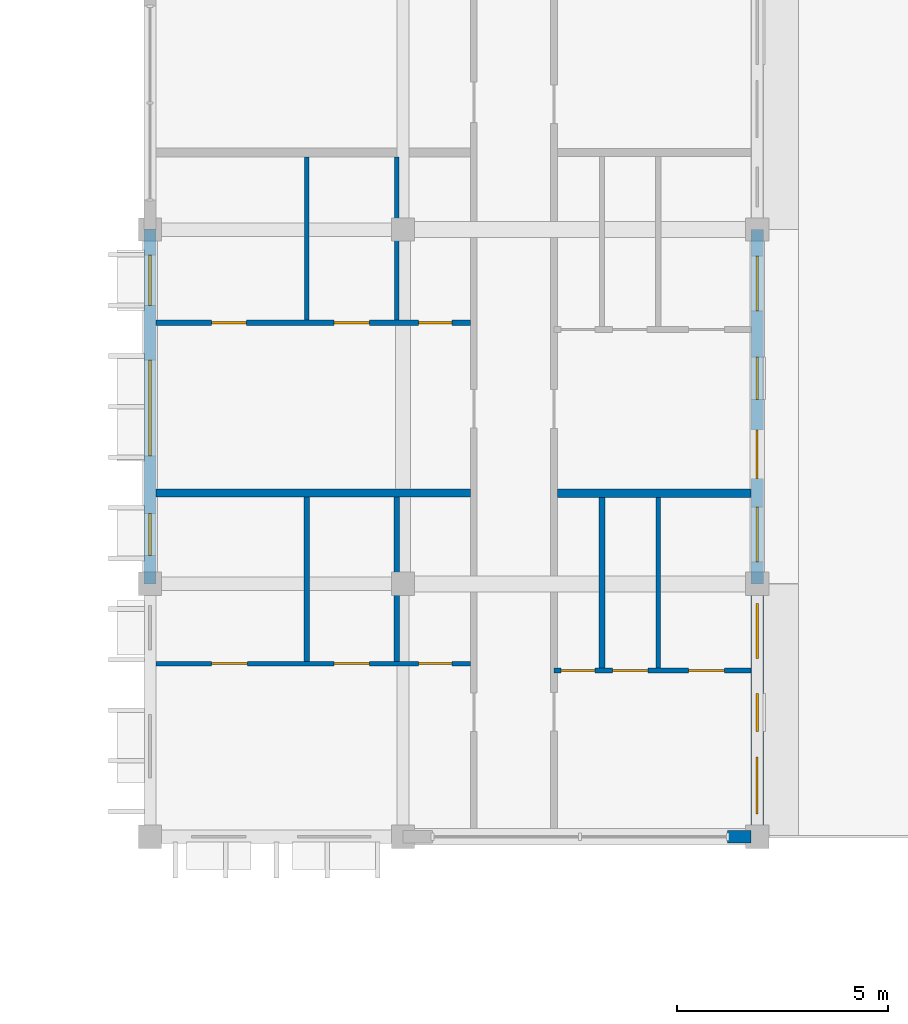
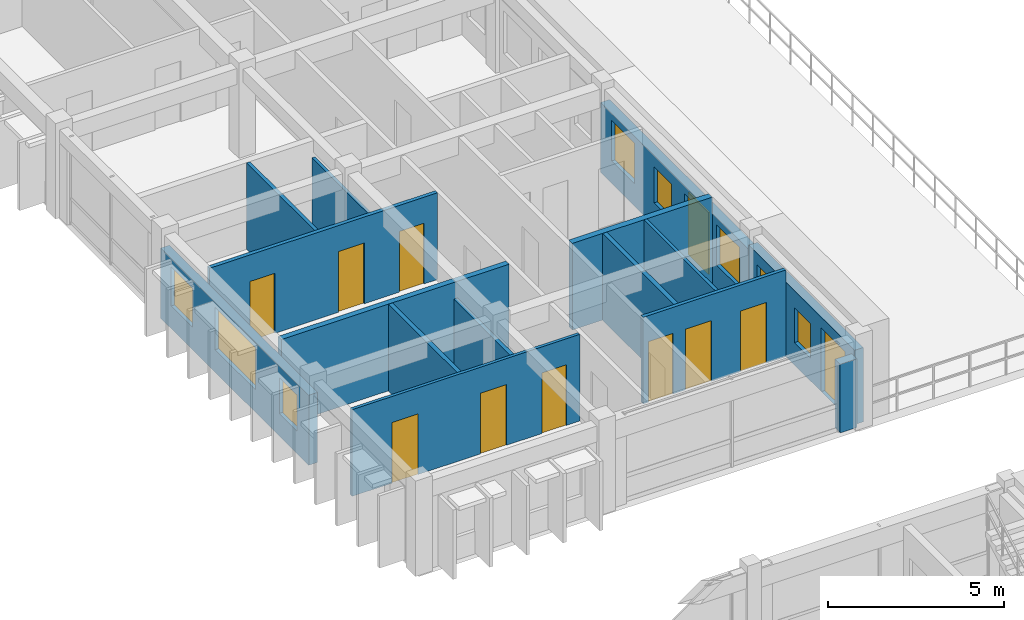
# One storey, part 42 of 68: 15 walls, 11 doors, 8 windows, 19 openings.
"""IFC4 building model written with IfcOpenShell, lengths in metres."""

from ifc_helpers import new_model, si_unit, direction, frame, frame_2d, origin, place, context, subcontext, project, spatial, rectangle, extrude, material, layer, layer_set, type_object, element, fill, save


model = new_model("IFC4")

# Units and contexts
model_context = context("Model", 3, precision=1e-05, world=origin(), true_north=direction((0.0, 1.0)))
body_context = subcontext(model_context, "Body", "Model", "MODEL_VIEW")
ifc_project = project(units=[si_unit("LENGTHUNIT", "METRE"), si_unit("AREAUNIT", "SQUARE_METRE"), si_unit("VOLUMEUNIT", "CUBIC_METRE"), si_unit("PLANEANGLEUNIT", "RADIAN"), si_unit("MASSUNIT", "GRAM", prefix="KILO"), si_unit("THERMODYNAMICTEMPERATUREUNIT", "KELVIN")], contexts=[model_context])

# Site, building, storey
site_placement = place(None, origin())
site = spatial("IfcSite", under=ifc_project, at=site_placement, CompositionType="ELEMENT")
building_placement = place(site_placement, origin())
building = spatial("IfcBuilding", under=site, at=building_placement, Name="Thalorik Housing Commons", CompositionType="ELEMENT")
storey_placement = place(building_placement, frame((0.0, 0.0, 24.60009765625)))
storey = spatial("IfcBuildingStorey", under=building, at=storey_placement, Name="L07", CompositionType="ELEMENT", Elevation=24.60009765625)

# Wall, openings, windows
ifc_material_1 = material(Name="White precast concrete C40/50", Category="concrete")
ifc_layer_1 = layer(ifc_material_1, 0.2900390625, Name="White precast concrete C40/50", Category="concrete")
ifc_layer_set_1 = layer_set([ifc_layer_1], Name="White precast concrete C40/50")
wall_type_1 = type_object("IfcWallType", Name="ARC-WAL-EXT-290", PredefinedType="STANDARD", material=ifc_layer_set_1)
wall_1_placement = place(storey_placement, frame((152.39990234375, 94.800048828125, 0.0), z_axis=(0.0, 0.0, 1.0), x_axis=(0.0, -1.0, 0.0)))
wall_1 = element("IfcWall", 1, at=wall_1_placement, inside=storey, type_object=wall_type_1, Name="L07 Exterior Wall WAL-EXT-L07-B-0663", PredefinedType="STANDARD", context=body_context, shape_type="SweptSolid", body=[
    extrude(rectangle(XDim=8.400146484375, YDim=0.2900390625, at=frame_2d((4.2001953125, 0.0))), origin(), (0.0, 0.0, 1.0), 2.4248046875),
])
opening_1_placement = place(wall_1_placement, frame((0.60009765625, 0.0, 0.780029296875)))
opening_1 = element("IfcOpeningElement", 2, at=opening_1_placement, cuts=wall_1, Name="Opening W-04", PredefinedType="OPENING", context=body_context, shape_type="SweptSolid", body=[
    extrude(rectangle(XDim=1.199951171875, YDim=1.35009765625, at=frame_2d((0.60009765625, 0.675048828125))), frame((0.0, 0.155029296875, 0.0), z_axis=(0.0, -1.0, 0.0), x_axis=(1.0, 0.0, 0.0)), (0.0, 0.0, 1.0), 0.31005859375),
])
opening_2_placement = place(wall_1_placement, frame((3.090087890625, 0.0, 0.780029296875)))
opening_2 = element("IfcOpeningElement", 3, at=opening_2_placement, cuts=wall_1, Name="Opening W-67", PredefinedType="OPENING", context=body_context, shape_type="SweptSolid", body=[
    extrude(rectangle(XDim=2.280029296875, YDim=1.4599609375, at=frame_2d((1.14013671875, 0.72998046875))), frame((0.0, 0.155029296875, 0.0), z_axis=(0.0, -1.0, 0.0), x_axis=(1.0, 0.0, 0.0)), (0.0, 0.0, 1.0), 0.31005859375),
])
opening_3_placement = place(wall_1_placement, frame((6.72998046875, 0.0, 0.780029296875)))
opening_3 = element("IfcOpeningElement", 4, at=opening_3_placement, cuts=wall_1, Name="Opening W-02", PredefinedType="OPENING", context=body_context, shape_type="SweptSolid", body=[
    extrude(rectangle(XDim=1.0, YDim=1.25, at=frame_2d((0.5, 0.625))), frame((0.0, 0.155029296875, 0.0), z_axis=(0.0, -1.0, 0.0), x_axis=(1.0, 0.0, 0.0)), (0.0, 0.0, 1.0), 0.31005859375),
])
ifc_material_2 = material(Name="Anodised aluminium and solar-control low-E glass", Category="aluminium")
window_type_1 = type_object("IfcWindowType", Name="ARC-WIN-02", PartitioningType="SINGLE_PANEL", PredefinedType="WINDOW", material=ifc_material_2)
window_1_placement = place(opening_3_placement, origin())
window_1 = element("IfcWindow", 5, at=window_1_placement, inside=storey, type_object=window_type_1, Name="L07 Facade Window 1214", OverallHeight=1.25, OverallWidth=1.0, PartitioningType="SINGLE_PANEL", PredefinedType="WINDOW", context=body_context, shape_type="SweptSolid", body=[
    extrude(rectangle(XDim=1.0, YDim=1.25, at=frame_2d((0.5, 0.625))), frame((0.0, 0.030029296875, 0.0), z_axis=(0.0, -1.0, 0.0), x_axis=(1.0, 0.0, 0.0)), (0.0, 0.0, 1.0), 0.06005859375),
])
fill(opening_3, window_1)
window_type_2 = type_object("IfcWindowType", Name="ARC-WIN-04", PartitioningType="SINGLE_PANEL", PredefinedType="WINDOW", material=ifc_material_2)
window_2_placement = place(opening_1_placement, origin())
window_2 = element("IfcWindow", 6, at=window_2_placement, inside=storey, type_object=window_type_2, Name="L07 Facade Window 1212", OverallHeight=1.35009765625, OverallWidth=1.199951171875, PartitioningType="SINGLE_PANEL", PredefinedType="WINDOW", context=body_context, shape_type="SweptSolid", body=[
    extrude(rectangle(XDim=1.199951171875, YDim=1.35009765625, at=frame_2d((0.60009765625, 0.675048828125))), frame((0.0, 0.030029296875, 0.0), z_axis=(0.0, -1.0, 0.0), x_axis=(1.0, 0.0, 0.0)), (0.0, 0.0, 1.0), 0.06005859375),
])
fill(opening_1, window_2)
window_type_3 = type_object("IfcWindowType", Name="ARC-WIN-67", PartitioningType="DOUBLE_PANEL_VERTICAL", PredefinedType="WINDOW", material=ifc_material_2)
window_3_placement = place(opening_2_placement, origin())
window_3 = element("IfcWindow", 7, at=window_3_placement, inside=storey, type_object=window_type_3, Name="L07 Facade Window 1213", OverallHeight=1.4599609375, OverallWidth=2.280029296875, PartitioningType="DOUBLE_PANEL_VERTICAL", PredefinedType="WINDOW", context=body_context, shape_type="SweptSolid", body=[
    extrude(rectangle(XDim=2.280029296875, YDim=1.4599609375, at=frame_2d((1.14013671875, 0.72998046875))), frame((0.0, 0.030029296875, 0.0), z_axis=(0.0, -1.0, 0.0), x_axis=(1.0, 0.0, 0.0)), (0.0, 0.0, 1.0), 0.06005859375),
])
fill(opening_2, window_3)

# Wall
wall_2_placement = place(storey_placement, frame((166.10009765625, 80.39990234375, 0.0), z_axis=(0.0, 0.0, 1.0), x_axis=(1.0, 0.0, 0.0)))
element("IfcWall", 8, at=wall_2_placement, inside=storey, type_object=wall_type_1, Name="L07 Exterior Wall WAL-PIERR-L07-B-0666", PredefinedType="STANDARD", context=body_context, shape_type="SweptSolid", body=[
    extrude(rectangle(XDim=0.552978515625, YDim=0.2900390625, at=frame_2d((0.2763671875, 0.0))), origin(), (0.0, 0.0, 1.0), 2.375),
])

# Wall, openings, door, windows
wall_3_placement = place(storey_placement, frame((166.800048828125, 80.39990234375, 0.0), z_axis=(0.0, 0.0, 1.0), x_axis=(0.0, 1.0, 0.0)))
wall_3 = element("IfcWall", 9, at=wall_3_placement, inside=storey, type_object=wall_type_1, Name="L07 Exterior Wall WAL-EXT-L07-B-0667", PredefinedType="STANDARD", context=body_context, shape_type="SweptSolid", body=[
    extrude(rectangle(XDim=6.0, YDim=0.2900390625, at=frame_2d((3.0, 0.0))), origin(), (0.0, 0.0, 1.0), 2.574951171875),
])
opening_4_placement = place(wall_3_placement, frame((0.5400390625, 0.0, 0.0)))
opening_4 = element("IfcOpeningElement", 10, at=opening_4_placement, cuts=wall_3, Name="Opening ED-0218", PredefinedType="OPENING", context=body_context, shape_type="SweptSolid", body=[
    extrude(rectangle(XDim=1.35009765625, YDim=2.199951171875, at=frame_2d((0.675048828125, 1.10009765625))), frame((0.0, 0.155029296875, 0.0), z_axis=(0.0, -1.0, 0.0), x_axis=(1.0, 0.0, 0.0)), (0.0, 0.0, 1.0), 0.31005859375),
])
opening_5_placement = place(wall_3_placement, frame((2.501708984375, 0.0, 0.780029296875)))
opening_5 = element("IfcOpeningElement", 11, at=opening_5_placement, cuts=wall_3, Name="Opening W-01", PredefinedType="OPENING", context=body_context, shape_type="SweptSolid", body=[
    extrude(rectangle(XDim=0.89990234375, YDim=1.199951171875, at=frame_2d((0.449951171875, 0.60009765625))), frame((0.0, 0.155029296875, 0.0), z_axis=(0.0, -1.0, 0.0), x_axis=(1.0, 0.0, 0.0)), (0.0, 0.0, 1.0), 0.31005859375),
])
opening_6_placement = place(wall_3_placement, frame((4.2265625, 0.0, 0.780029296875)))
opening_6 = element("IfcOpeningElement", 12, at=opening_6_placement, cuts=wall_3, Name="Opening W-06", PredefinedType="OPENING", context=body_context, shape_type="SweptSolid", body=[
    extrude(rectangle(XDim=1.300048828125, YDim=1.39990234375, at=frame_2d((0.64990234375, 0.699951171875))), frame((0.0, 0.155029296875, 0.0), z_axis=(0.0, -1.0, 0.0), x_axis=(1.0, 0.0, 0.0)), (0.0, 0.0, 1.0), 0.31005859375),
])
ifc_material_3 = material(Name="Anodised aluminium and laminated safety glass", Category="aluminium")
door_type_1 = type_object("IfcDoorType", Name="ARC-DR-TERR-1350", OperationType="NOTDEFINED", PredefinedType="DOOR", material=ifc_material_3)
door_1_placement = place(opening_4_placement, frame((1.35009765625, 0.0, 0.0), z_axis=(0.0, 0.0, 1.0), x_axis=(-1.0, 0.0, 0.0)))
door_1 = element("IfcDoor", 13, at=door_1_placement, inside=storey, type_object=door_type_1, Name="L07 Block B L07 East Sky-Garden Terrace Access Door", OperationType="SINGLE_SWING_LEFT", OverallHeight=2.199951171875, OverallWidth=1.35009765625, PredefinedType="DOOR", context=body_context, shape_type="SweptSolid", body=[
    extrude(rectangle(XDim=1.35009765625, YDim=2.199951171875, at=frame_2d((0.675048828125, 1.10009765625))), frame((0.0, 0.02490234375, 0.0), z_axis=(0.0, -1.0, 0.0), x_axis=(1.0, 0.0, 0.0)), (0.0, 0.0, 1.0), 0.050048828125),
])
fill(opening_4, door_1)
window_type_4 = type_object("IfcWindowType", Name="ARC-WIN-01", PartitioningType="SINGLE_PANEL", PredefinedType="WINDOW", material=ifc_material_2)
window_4_placement = place(opening_5_placement, origin())
window_4 = element("IfcWindow", 14, at=window_4_placement, inside=storey, type_object=window_type_4, Name="L07 Facade Window 1219", OverallHeight=1.199951171875, OverallWidth=0.89990234375, PartitioningType="SINGLE_PANEL", PredefinedType="WINDOW", context=body_context, shape_type="SweptSolid", body=[
    extrude(rectangle(XDim=0.89990234375, YDim=1.199951171875, at=frame_2d((0.449951171875, 0.60009765625))), frame((0.0, 0.030029296875, 0.0), z_axis=(0.0, -1.0, 0.0), x_axis=(1.0, 0.0, 0.0)), (0.0, 0.0, 1.0), 0.06005859375),
])
fill(opening_5, window_4)
window_type_5 = type_object("IfcWindowType", Name="ARC-WIN-06", PartitioningType="SINGLE_PANEL", PredefinedType="WINDOW", material=ifc_material_2)
window_5_placement = place(opening_6_placement, origin())
window_5 = element("IfcWindow", 15, at=window_5_placement, inside=storey, type_object=window_type_5, Name="L07 Facade Window 1220", OverallHeight=1.39990234375, OverallWidth=1.300048828125, PartitioningType="SINGLE_PANEL", PredefinedType="WINDOW", context=body_context, shape_type="SweptSolid", body=[
    extrude(rectangle(XDim=1.300048828125, YDim=1.39990234375, at=frame_2d((0.64990234375, 0.699951171875))), frame((0.0, 0.030029296875, 0.0), z_axis=(0.0, -1.0, 0.0), x_axis=(1.0, 0.0, 0.0)), (0.0, 0.0, 1.0), 0.06005859375),
])
fill(opening_6, window_5)

wall_4_placement = place(storey_placement, frame((166.800048828125, 86.39990234375, 0.0), z_axis=(0.0, 0.0, 1.0), x_axis=(0.0, 1.0, 0.0)))
wall_4 = element("IfcWall", 16, at=wall_4_placement, inside=storey, type_object=wall_type_1, Name="L07 Exterior Wall WAL-EXT-L07-B-0668", PredefinedType="STANDARD", context=body_context, shape_type="SweptSolid", body=[
    extrude(rectangle(XDim=8.400146484375, YDim=0.2900390625, at=frame_2d((4.2001953125, 0.0))), origin(), (0.0, 0.0, 1.0), 2.4248046875),
])
opening_7_placement = place(wall_4_placement, frame((2.5, 0.0, 0.0)))
opening_7 = element("IfcOpeningElement", 17, at=opening_7_placement, cuts=wall_4, Name="Opening ED-0219", PredefinedType="OPENING", context=body_context, shape_type="SweptSolid", body=[
    extrude(rectangle(XDim=1.14990234375, YDim=2.14990234375, at=frame_2d((0.574951171875, 1.074951171875))), frame((0.0, 0.155029296875, 0.0), z_axis=(0.0, -1.0, 0.0), x_axis=(1.0, 0.0, 0.0)), (0.0, 0.0, 1.0), 0.31005859375),
])
opening_8_placement = place(wall_4_placement, frame((4.374267578125, 0.0, 0.780029296875)))
opening_8 = element("IfcOpeningElement", 18, at=opening_8_placement, cuts=wall_4, Name="Opening W-02", PredefinedType="OPENING", context=body_context, shape_type="SweptSolid", body=[
    extrude(rectangle(XDim=1.0, YDim=1.25, at=frame_2d((0.5, 0.625))), frame((0.0, 0.155029296875, 0.0), z_axis=(0.0, -1.0, 0.0), x_axis=(1.0, 0.0, 0.0)), (0.0, 0.0, 1.0), 0.31005859375),
])
opening_9_placement = place(wall_4_placement, frame((0.52001953125, 0.0, 0.780029296875)))
opening_9 = element("IfcOpeningElement", 19, at=opening_9_placement, cuts=wall_4, Name="Opening W-06", PredefinedType="OPENING", context=body_context, shape_type="SweptSolid", body=[
    extrude(rectangle(XDim=1.300048828125, YDim=1.39990234375, at=frame_2d((0.64990234375, 0.699951171875))), frame((0.0, 0.155029296875, 0.0), z_axis=(0.0, -1.0, 0.0), x_axis=(1.0, 0.0, 0.0)), (0.0, 0.0, 1.0), 0.31005859375),
])
opening_10_placement = place(wall_4_placement, frame((6.46923828125, 0.0, 0.780029296875)))
opening_10 = element("IfcOpeningElement", 20, at=opening_10_placement, cuts=wall_4, Name="Opening W-06", PredefinedType="OPENING", context=body_context, shape_type="SweptSolid", body=[
    extrude(rectangle(XDim=1.300048828125, YDim=1.39990234375, at=frame_2d((0.64990234375, 0.699951171875))), frame((0.0, 0.155029296875, 0.0), z_axis=(0.0, -1.0, 0.0), x_axis=(1.0, 0.0, 0.0)), (0.0, 0.0, 1.0), 0.31005859375),
])
door_type_2 = type_object("IfcDoorType", Name="ARC-DR-TERR-1150", OperationType="NOTDEFINED", PredefinedType="DOOR", material=ifc_material_3)
door_2_placement = place(opening_7_placement, frame((1.14990234375, 0.0, 0.0), z_axis=(0.0, 0.0, 1.0), x_axis=(-1.0, 0.0, 0.0)))
door_2 = element("IfcDoor", 21, at=door_2_placement, inside=storey, type_object=door_type_2, Name="L07 Block B L07 East Sky-Garden Terrace Access Door", OperationType="SINGLE_SWING_RIGHT", OverallHeight=2.14990234375, OverallWidth=1.14990234375, PredefinedType="DOOR", context=body_context, shape_type="SweptSolid", body=[
    extrude(rectangle(XDim=1.14990234375, YDim=2.14990234375, at=frame_2d((0.574951171875, 1.074951171875))), frame((0.0, 0.02490234375, 0.0), z_axis=(0.0, -1.0, 0.0), x_axis=(1.0, 0.0, 0.0)), (0.0, 0.0, 1.0), 0.050048828125),
])
fill(opening_7, door_2)
window_6_placement = place(opening_8_placement, origin())
window_6 = element("IfcWindow", 22, at=window_6_placement, inside=storey, type_object=window_type_1, Name="L07 Facade Window 1221", OverallHeight=1.25, OverallWidth=1.0, PartitioningType="SINGLE_PANEL", PredefinedType="WINDOW", context=body_context, shape_type="SweptSolid", body=[
    extrude(rectangle(XDim=1.0, YDim=1.25, at=frame_2d((0.5, 0.625))), frame((0.0, 0.030029296875, 0.0), z_axis=(0.0, -1.0, 0.0), x_axis=(1.0, 0.0, 0.0)), (0.0, 0.0, 1.0), 0.06005859375),
])
fill(opening_8, window_6)
window_7_placement = place(opening_9_placement, origin())
window_7 = element("IfcWindow", 23, at=window_7_placement, inside=storey, type_object=window_type_5, Name="L07 Facade Window 1222", OverallHeight=1.39990234375, OverallWidth=1.300048828125, PartitioningType="SINGLE_PANEL", PredefinedType="WINDOW", context=body_context, shape_type="SweptSolid", body=[
    extrude(rectangle(XDim=1.300048828125, YDim=1.39990234375, at=frame_2d((0.64990234375, 0.699951171875))), frame((0.0, 0.030029296875, 0.0), z_axis=(0.0, -1.0, 0.0), x_axis=(1.0, 0.0, 0.0)), (0.0, 0.0, 1.0), 0.06005859375),
])
fill(opening_9, window_7)
window_8_placement = place(opening_10_placement, origin())
window_8 = element("IfcWindow", 24, at=window_8_placement, inside=storey, type_object=window_type_5, Name="L07 Facade Window 1223", OverallHeight=1.39990234375, OverallWidth=1.300048828125, PartitioningType="SINGLE_PANEL", PredefinedType="WINDOW", context=body_context, shape_type="SweptSolid", body=[
    extrude(rectangle(XDim=1.300048828125, YDim=1.39990234375, at=frame_2d((0.64990234375, 0.699951171875))), frame((0.0, 0.030029296875, 0.0), z_axis=(0.0, -1.0, 0.0), x_axis=(1.0, 0.0, 0.0)), (0.0, 0.0, 1.0), 0.06005859375),
])
fill(opening_10, window_8)

# Wall, openings, doors
ifc_material_4 = material(Name="Gypsum light stud partition", Category="masonry")
ifc_layer_2 = layer(ifc_material_4, 0.10009765625, Name="Gypsum light stud partition", Category="masonry")
ifc_layer_set_2 = layer_set([ifc_layer_2], Name="Gypsum light stud partition")
wall_type_2 = type_object("IfcWallType", Name="ARC-WAL-PART-100", PredefinedType="PARTITIONING", material=ifc_layer_set_2)
wall_5_placement = place(storey_placement, frame((152.547119140625, 84.5048828125, 0.0), z_axis=(0.0, 0.0, 1.0), x_axis=(1.0, 0.0, 0.0)))
wall_5 = element("IfcWall", 25, at=wall_5_placement, inside=storey, type_object=wall_type_2, Name="L07 Unit 1 Spine Partition", PredefinedType="PARTITIONING", context=body_context, shape_type="SweptSolid", body=[
    extrude(rectangle(XDim=7.455810546875, YDim=0.10009765625, at=frame_2d((3.72802734375, 0.0))), origin(), (0.0, 0.0, 1.0), 3.0),
])
opening_11_placement = place(wall_5_placement, frame((1.31689453125, 0.0, 0.0)))
opening_11 = element("IfcOpeningElement", 26, at=opening_11_placement, cuts=wall_5, Name="Opening ID-1310", PredefinedType="OPENING", context=body_context, shape_type="SweptSolid", body=[
    extrude(rectangle(XDim=0.85009765625, YDim=2.10009765625, at=frame_2d((0.425048828125, 1.050048828125))), frame((0.0, 0.06005859375, 0.0), z_axis=(0.0, -1.0, 0.0), x_axis=(1.0, 0.0, 0.0)), (0.0, 0.0, 1.0), 0.1201171875),
])
opening_12_placement = place(wall_5_placement, frame((4.21240234375, 0.0, 0.0)))
opening_12 = element("IfcOpeningElement", 27, at=opening_12_placement, cuts=wall_5, Name="Opening ID-1311", PredefinedType="OPENING", context=body_context, shape_type="SweptSolid", body=[
    extrude(rectangle(XDim=0.85009765625, YDim=2.10009765625, at=frame_2d((0.425048828125, 1.050048828125))), frame((0.0, 0.06005859375, 0.0), z_axis=(0.0, -1.0, 0.0), x_axis=(1.0, 0.0, 0.0)), (0.0, 0.0, 1.0), 0.1201171875),
])
opening_13_placement = place(wall_5_placement, frame((6.218505859375, 0.0, 0.0)))
opening_13 = element("IfcOpeningElement", 28, at=opening_13_placement, cuts=wall_5, Name="Opening ID-1312", PredefinedType="OPENING", context=body_context, shape_type="SweptSolid", body=[
    extrude(rectangle(XDim=0.800048828125, YDim=2.10009765625, at=frame_2d((0.39990234375, 1.050048828125))), frame((0.0, 0.06005859375, 0.0), z_axis=(0.0, -1.0, 0.0), x_axis=(1.0, 0.0, 0.0)), (0.0, 0.0, 1.0), 0.1201171875),
])
ifc_material_5 = material(Name="Moisture-resistant timber", Category="wood")
door_type_3 = type_object("IfcDoorType", Name="ARC-DR-INT-800", OperationType="NOTDEFINED", PredefinedType="DOOR", material=ifc_material_5)
door_3_placement = place(opening_13_placement, origin())
door_3 = element("IfcDoor", 29, at=door_3_placement, inside=storey, type_object=door_type_3, Name="L07 Flat Bathroom Door", OperationType="SINGLE_SWING_LEFT", OverallHeight=2.10009765625, OverallWidth=0.800048828125, PredefinedType="DOOR", context=body_context, shape_type="SweptSolid", body=[
    extrude(rectangle(XDim=0.800048828125, YDim=2.10009765625, at=frame_2d((0.39990234375, 1.050048828125))), frame((0.0, 0.02490234375, 0.0), z_axis=(0.0, -1.0, 0.0), x_axis=(1.0, 0.0, 0.0)), (0.0, 0.0, 1.0), 0.050048828125),
])
fill(opening_13, door_3)
ifc_material_6 = material(Name="Engineered oak timber", Category="wood")
door_type_4 = type_object("IfcDoorType", Name="ARC-DR-INT-850", OperationType="NOTDEFINED", PredefinedType="DOOR", material=ifc_material_6)
door_4_placement = place(opening_11_placement, origin())
door_4 = element("IfcDoor", 30, at=door_4_placement, inside=storey, type_object=door_type_4, Name="L07 Double Bedroom Door", OperationType="SINGLE_SWING_LEFT", OverallHeight=2.10009765625, OverallWidth=0.85009765625, PredefinedType="DOOR", context=body_context, shape_type="SweptSolid", body=[
    extrude(rectangle(XDim=0.85009765625, YDim=2.10009765625, at=frame_2d((0.425048828125, 1.050048828125))), frame((0.0, 0.02490234375, 0.0), z_axis=(0.0, -1.0, 0.0), x_axis=(1.0, 0.0, 0.0)), (0.0, 0.0, 1.0), 0.050048828125),
])
fill(opening_11, door_4)
door_5_placement = place(opening_12_placement, origin())
door_5 = element("IfcDoor", 31, at=door_5_placement, inside=storey, type_object=door_type_4, Name="L07 Galley Kitchen Door", OperationType="SINGLE_SWING_RIGHT", OverallHeight=2.10009765625, OverallWidth=0.85009765625, PredefinedType="DOOR", context=body_context, shape_type="SweptSolid", body=[
    extrude(rectangle(XDim=0.85009765625, YDim=2.10009765625, at=frame_2d((0.425048828125, 1.050048828125))), frame((0.0, 0.02490234375, 0.0), z_axis=(0.0, -1.0, 0.0), x_axis=(1.0, 0.0, 0.0)), (0.0, 0.0, 1.0), 0.050048828125),
])
fill(opening_12, door_5)

# Walls
wall_6_placement = place(storey_placement, frame((164.455078125, 84.402587890625, 0.0), z_axis=(0.0, 0.0, 1.0), x_axis=(0.0, 1.0, 0.0)))
element("IfcWall", 32, at=wall_6_placement, inside=storey, type_object=wall_type_2, Name="L07 Unit 1B Bedroom Partition", PredefinedType="PARTITIONING", context=body_context, shape_type="SweptSolid", body=[
    extrude(rectangle(XDim=4.04541015625, YDim=0.10009765625, at=frame_2d((2.022705078125, 0.0))), origin(), (0.0, 0.0, 1.0), 3.0),
])
wall_7_placement = place(storey_placement, frame((158.251220703125, 92.654541015625, 0.0), z_axis=(0.0, 0.0, 1.0), x_axis=(0.0, 1.0, 0.0)))
element("IfcWall", 33, at=wall_7_placement, inside=storey, type_object=wall_type_2, Name="L07 Unit 2 Wet Wall", PredefinedType="PARTITIONING", context=body_context, shape_type="SweptSolid", body=[
    extrude(rectangle(XDim=3.863525390625, YDim=0.10009765625, at=frame_2d((1.931640625, 0.0))), origin(), (0.0, 0.0, 1.0), 2.4248046875),
])

# Wall, openings, doors
ifc_material_7 = material(Name="Gypsum moisture-resistant partition", Category="masonry")
ifc_layer_3 = layer(ifc_material_7, 0.114990234375, Name="Gypsum moisture-resistant partition", Category="masonry")
ifc_layer_set_3 = layer_set([ifc_layer_3], Name="Gypsum moisture-resistant partition")
wall_type_3 = type_object("IfcWallType", Name="ARC-WAL-PART-115", PredefinedType="PARTITIONING", material=ifc_layer_set_3)
wall_8_placement = place(storey_placement, frame((161.97998046875, 84.34326171875, 0.0), z_axis=(0.0, 0.0, 1.0), x_axis=(1.0, 0.0, 0.0)))
wall_8 = element("IfcWall", 34, at=wall_8_placement, inside=storey, type_object=wall_type_3, Name="L07 Unit 1B Spine Partition", PredefinedType="PARTITIONING", context=body_context, shape_type="SweptSolid", body=[
    extrude(rectangle(XDim=4.673095703125, YDim=0.114990234375, at=frame_2d((2.33642578125, 0.0))), origin(), (0.0, 0.0, 1.0), 3.0),
])
opening_14_placement = place(wall_8_placement, frame((0.171142578125, 0.0, 0.0)))
opening_14 = element("IfcOpeningElement", 35, at=opening_14_placement, cuts=wall_8, Name="Opening ID-1313", PredefinedType="OPENING", context=body_context, shape_type="SweptSolid", body=[
    extrude(rectangle(XDim=0.800048828125, YDim=2.10009765625, at=frame_2d((0.39990234375, 1.050048828125))), frame((0.0, 0.0673828125, 0.0), z_axis=(0.0, -1.0, 0.0), x_axis=(1.0, 0.0, 0.0)), (0.0, 0.0, 1.0), 0.135009765625),
])
opening_15_placement = place(wall_8_placement, frame((1.3837890625, 0.0, 0.0)))
opening_15 = element("IfcOpeningElement", 36, at=opening_15_placement, cuts=wall_8, Name="Opening ID-1314", PredefinedType="OPENING", context=body_context, shape_type="SweptSolid", body=[
    extrude(rectangle(XDim=0.85009765625, YDim=2.10009765625, at=frame_2d((0.425048828125, 1.050048828125))), frame((0.0, 0.0673828125, 0.0), z_axis=(0.0, -1.0, 0.0), x_axis=(1.0, 0.0, 0.0)), (0.0, 0.0, 1.0), 0.135009765625),
])
opening_16_placement = place(wall_8_placement, frame((3.192626953125, 0.0, 0.0)))
opening_16 = element("IfcOpeningElement", 37, at=opening_16_placement, cuts=wall_8, Name="Opening ID-1315", PredefinedType="OPENING", context=body_context, shape_type="SweptSolid", body=[
    extrude(rectangle(XDim=0.85009765625, YDim=2.10009765625, at=frame_2d((0.425048828125, 1.050048828125))), frame((0.0, 0.0673828125, 0.0), z_axis=(0.0, -1.0, 0.0), x_axis=(1.0, 0.0, 0.0)), (0.0, 0.0, 1.0), 0.135009765625),
])
door_6_placement = place(opening_14_placement, origin())
door_6 = element("IfcDoor", 38, at=door_6_placement, inside=storey, type_object=door_type_3, Name="L07 Accessible Bathroom Door", OperationType="SINGLE_SWING_RIGHT", OverallHeight=2.10009765625, OverallWidth=0.800048828125, PredefinedType="DOOR", context=body_context, shape_type="SweptSolid", body=[
    extrude(rectangle(XDim=0.800048828125, YDim=2.10009765625, at=frame_2d((0.39990234375, 1.050048828125))), frame((0.0, 0.02490234375, 0.0), z_axis=(0.0, -1.0, 0.0), x_axis=(1.0, 0.0, 0.0)), (0.0, 0.0, 1.0), 0.050048828125),
])
fill(opening_14, door_6)
door_7_placement = place(opening_15_placement, origin())
door_7 = element("IfcDoor", 39, at=door_7_placement, inside=storey, type_object=door_type_4, Name="L07 Eat-In Kitchen Door", OperationType="SINGLE_SWING_LEFT", OverallHeight=2.10009765625, OverallWidth=0.85009765625, PredefinedType="DOOR", context=body_context, shape_type="SweptSolid", body=[
    extrude(rectangle(XDim=0.85009765625, YDim=2.10009765625, at=frame_2d((0.425048828125, 1.050048828125))), frame((0.0, 0.02490234375, 0.0), z_axis=(0.0, -1.0, 0.0), x_axis=(1.0, 0.0, 0.0)), (0.0, 0.0, 1.0), 0.050048828125),
])
fill(opening_15, door_7)
door_8_placement = place(opening_16_placement, origin())
door_8 = element("IfcDoor", 40, at=door_8_placement, inside=storey, type_object=door_type_4, Name="L07 Single Bedroom Door", OperationType="SINGLE_SWING_RIGHT", OverallHeight=2.10009765625, OverallWidth=0.85009765625, PredefinedType="DOOR", context=body_context, shape_type="SweptSolid", body=[
    extrude(rectangle(XDim=0.85009765625, YDim=2.10009765625, at=frame_2d((0.425048828125, 1.050048828125))), frame((0.0, 0.02490234375, 0.0), z_axis=(0.0, -1.0, 0.0), x_axis=(1.0, 0.0, 0.0)), (0.0, 0.0, 1.0), 0.050048828125),
])
fill(opening_16, door_8)

# Walls
wall_9_placement = place(storey_placement, frame((156.11767578125, 92.654541015625, 0.0), z_axis=(0.0, 0.0, 1.0), x_axis=(0.0, 1.0, 0.0)))
element("IfcWall", 41, at=wall_9_placement, inside=storey, type_object=wall_type_3, Name="L07 Unit 2 Bedroom Partition", PredefinedType="PARTITIONING", context=body_context, shape_type="SweptSolid", body=[
    extrude(rectangle(XDim=3.863525390625, YDim=0.114990234375, at=frame_2d((1.931640625, 0.0))), origin(), (0.0, 0.0, 1.0), 3.0),
])
ifc_material_8 = material(Name="Gypsum acoustic stud partition", Category="masonry")
ifc_layer_4 = layer(ifc_material_8, 0.125, Name="Gypsum acoustic stud partition", Category="masonry")
ifc_layer_set_4 = layer_set([ifc_layer_4], Name="Gypsum acoustic stud partition")
wall_type_4 = type_object("IfcWallType", Name="ARC-WAL-PART-125", PredefinedType="PARTITIONING", material=ifc_layer_set_4)
wall_10_placement = place(storey_placement, frame((158.251220703125, 84.556884765625, 0.0), z_axis=(0.0, 0.0, 1.0), x_axis=(0.0, 1.0, 0.0)))
element("IfcWall", 42, at=wall_10_placement, inside=storey, type_object=wall_type_4, Name="L07 Unit 1 Wet Wall", PredefinedType="PARTITIONING", context=body_context, shape_type="SweptSolid", body=[
    extrude(rectangle(XDim=3.898681640625, YDim=0.125, at=frame_2d((1.94921875, 0.0))), origin(), (0.0, 0.0, 1.0), 2.4248046875),
])

# Wall, openings, doors
wall_11_placement = place(storey_placement, frame((152.547119140625, 92.590087890625, 0.0), z_axis=(0.0, 0.0, 1.0), x_axis=(1.0, 0.0, 0.0)))
wall_11 = element("IfcWall", 43, at=wall_11_placement, inside=storey, type_object=wall_type_4, Name="L07 Unit 2 Spine Partition", PredefinedType="PARTITIONING", context=body_context, shape_type="SweptSolid", body=[
    extrude(rectangle(XDim=7.455810546875, YDim=0.125, at=frame_2d((3.72802734375, 0.0))), origin(), (0.0, 0.0, 1.0), 3.0),
])
opening_17_placement = place(wall_11_placement, frame((1.31689453125, 0.0, 0.0)))
opening_17 = element("IfcOpeningElement", 44, at=opening_17_placement, cuts=wall_11, Name="Opening ID-1316", PredefinedType="OPENING", context=body_context, shape_type="SweptSolid", body=[
    extrude(rectangle(XDim=0.820068359375, YDim=2.080078125, at=frame_2d((0.41015625, 1.0400390625))), frame((0.0, 0.072509765625, 0.0), z_axis=(0.0, -1.0, 0.0), x_axis=(1.0, 0.0, 0.0)), (0.0, 0.0, 1.0), 0.14501953125),
])
opening_18_placement = place(wall_11_placement, frame((4.21240234375, 0.0, 0.0)))
opening_18 = element("IfcOpeningElement", 45, at=opening_18_placement, cuts=wall_11, Name="Opening ID-1317", PredefinedType="OPENING", context=body_context, shape_type="SweptSolid", body=[
    extrude(rectangle(XDim=0.85009765625, YDim=2.10009765625, at=frame_2d((0.425048828125, 1.050048828125))), frame((0.0, 0.072509765625, 0.0), z_axis=(0.0, -1.0, 0.0), x_axis=(1.0, 0.0, 0.0)), (0.0, 0.0, 1.0), 0.14501953125),
])
opening_19_placement = place(wall_11_placement, frame((6.218505859375, 0.0, 0.0)))
opening_19 = element("IfcOpeningElement", 46, at=opening_19_placement, cuts=wall_11, Name="Opening ID-1318", PredefinedType="OPENING", context=body_context, shape_type="SweptSolid", body=[
    extrude(rectangle(XDim=0.800048828125, YDim=2.10009765625, at=frame_2d((0.39990234375, 1.050048828125))), frame((0.0, 0.072509765625, 0.0), z_axis=(0.0, -1.0, 0.0), x_axis=(1.0, 0.0, 0.0)), (0.0, 0.0, 1.0), 0.14501953125),
])
door_9_placement = place(opening_19_placement, origin())
door_9 = element("IfcDoor", 47, at=door_9_placement, inside=storey, type_object=door_type_3, Name="L07 Flat Bathroom Door", OperationType="SINGLE_SWING_LEFT", OverallHeight=2.10009765625, OverallWidth=0.800048828125, PredefinedType="DOOR", context=body_context, shape_type="SweptSolid", body=[
    extrude(rectangle(XDim=0.800048828125, YDim=2.10009765625, at=frame_2d((0.39990234375, 1.050048828125))), frame((0.0, 0.02490234375, 0.0), z_axis=(0.0, -1.0, 0.0), x_axis=(1.0, 0.0, 0.0)), (0.0, 0.0, 1.0), 0.050048828125),
])
fill(opening_19, door_9)
door_type_5 = type_object("IfcDoorType", Name="ARC-DR-INT-820", OperationType="NOTDEFINED", PredefinedType="DOOR", material=ifc_material_6)
door_10_placement = place(opening_17_placement, origin())
door_10 = element("IfcDoor", 48, at=door_10_placement, inside=storey, type_object=door_type_5, Name="L07 Double Bedroom Door", OperationType="SINGLE_SWING_LEFT", OverallHeight=2.080078125, OverallWidth=0.820068359375, PredefinedType="DOOR", context=body_context, shape_type="SweptSolid", body=[
    extrude(rectangle(XDim=0.820068359375, YDim=2.080078125, at=frame_2d((0.41015625, 1.0400390625))), frame((0.0, 0.02490234375, 0.0), z_axis=(0.0, -1.0, 0.0), x_axis=(1.0, 0.0, 0.0)), (0.0, 0.0, 1.0), 0.050048828125),
])
fill(opening_17, door_10)
door_11_placement = place(opening_18_placement, origin())
door_11 = element("IfcDoor", 49, at=door_11_placement, inside=storey, type_object=door_type_4, Name="L07 Galley Kitchen Door", OperationType="SINGLE_SWING_RIGHT", OverallHeight=2.10009765625, OverallWidth=0.85009765625, PredefinedType="DOOR", context=body_context, shape_type="SweptSolid", body=[
    extrude(rectangle(XDim=0.85009765625, YDim=2.10009765625, at=frame_2d((0.425048828125, 1.050048828125))), frame((0.0, 0.02490234375, 0.0), z_axis=(0.0, -1.0, 0.0), x_axis=(1.0, 0.0, 0.0)), (0.0, 0.0, 1.0), 0.050048828125),
])
fill(opening_18, door_11)

# Walls
ifc_material_9 = material(Name="Ceramic masonry partition wall", Category="masonry")
ifc_layer_5 = layer(ifc_material_9, 0.139892578125, Name="Ceramic masonry partition wall", Category="masonry")
ifc_layer_set_5 = layer_set([ifc_layer_5], Name="Ceramic masonry partition wall")
wall_type_5 = type_object("IfcWallType", Name="ARC-WAL-PART-140", PredefinedType="PARTITIONING", material=ifc_layer_set_5)
wall_12_placement = place(storey_placement, frame((156.11767578125, 84.556884765625, 0.0), z_axis=(0.0, 0.0, 1.0), x_axis=(0.0, 1.0, 0.0)))
element("IfcWall", 50, at=wall_12_placement, inside=storey, type_object=wall_type_5, Name="L07 Unit 1 Bedroom Partition", PredefinedType="PARTITIONING", context=body_context, shape_type="SweptSolid", body=[
    extrude(rectangle(XDim=3.898681640625, YDim=0.139892578125, at=frame_2d((1.94921875, 0.0))), origin(), (0.0, 0.0, 1.0), 3.0),
])
wall_13_placement = place(storey_placement, frame((163.122314453125, 84.402587890625, 0.0), z_axis=(0.0, 0.0, 1.0), x_axis=(0.0, 1.0, 0.0)))
element("IfcWall", 51, at=wall_13_placement, inside=storey, type_object=wall_type_5, Name="L07 Unit 1B Wet Wall", PredefinedType="PARTITIONING", context=body_context, shape_type="SweptSolid", body=[
    extrude(rectangle(XDim=4.04541015625, YDim=0.139892578125, at=frame_2d((2.022705078125, 0.0))), origin(), (0.0, 0.0, 1.0), 3.0),
])
ifc_material_10 = material(Name="Masonry acoustic blockwork wall", Category="masonry")
ifc_layer_6 = layer(ifc_material_10, 0.18505859375, Name="Masonry acoustic blockwork wall", Category="masonry")
ifc_layer_set_6 = layer_set([ifc_layer_6], Name="Masonry acoustic blockwork wall")
wall_type_6 = type_object("IfcWallType", Name="ARC-WAL-PARTY-185", PredefinedType="PARTITIONING", material=ifc_layer_set_6)
wall_14_placement = place(storey_placement, frame((152.547119140625, 88.550048828125, 0.0), z_axis=(0.0, 0.0, 1.0), x_axis=(1.0, 0.0, 0.0)))
element("IfcWall", 52, at=wall_14_placement, inside=storey, type_object=wall_type_6, Name="L07 Inter-Tenancy Wall 1A", PredefinedType="PARTITIONING", context=body_context, shape_type="SweptSolid", body=[
    extrude(rectangle(XDim=7.455810546875, YDim=0.18505859375, at=frame_2d((3.72802734375, 0.0))), origin(), (0.0, 0.0, 1.0), 3.0),
])
ifc_material_11 = material(Name="Precast concrete C40/50 acoustic wall", Category="concrete")
ifc_layer_7 = layer(ifc_material_11, 0.199951171875, Name="Precast concrete C40/50 acoustic wall", Category="concrete")
ifc_layer_set_7 = layer_set([ifc_layer_7], Name="Precast concrete C40/50 acoustic wall")
wall_type_7 = type_object("IfcWallType", Name="ARC-WAL-PARTY-200", PredefinedType="PARTITIONING", material=ifc_layer_set_7)
wall_15_placement = place(storey_placement, frame((162.064453125, 88.550048828125, 0.0), z_axis=(0.0, 0.0, 1.0), x_axis=(1.0, 0.0, 0.0)))
element("IfcWall", 53, at=wall_15_placement, inside=storey, type_object=wall_type_7, Name="L07 Inter-Tenancy Wall 1B", PredefinedType="PARTITIONING", context=body_context, shape_type="SweptSolid", body=[
    extrude(rectangle(XDim=4.588623046875, YDim=0.199951171875, at=frame_2d((2.29443359375, 0.0))), origin(), (0.0, 0.0, 1.0), 3.0),
])

save(model, "model.ifc")
